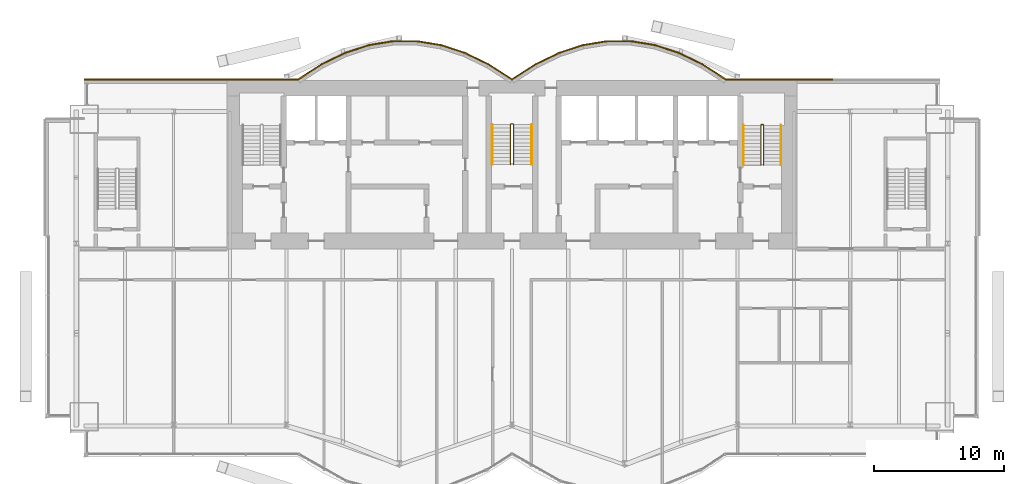
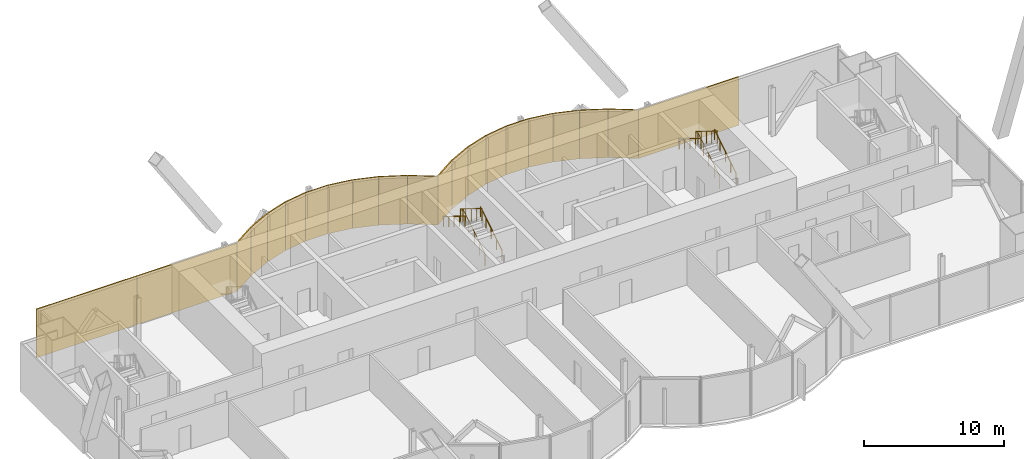
# One storey, part 22 of 23: 21 coverings, 6 railings.
"""IFC4 building model written with IfcOpenShell, lengths in metres."""

import ifcopenshell
import ifcopenshell.guid

model = None  # the IFC model being written
_history = None  # IfcOwnerHistory: only IFC2X3 demands one
_inside = {}  # id of a spatial element -> (the spatial element, [elements in it])
_under = {}  # id of a project, library or spatial element -> (it, [spatial elements below it])
_declared = {}  # id of a project -> (the project, [libraries it declares])
_typed = {}  # id of a type object -> (the type object, [elements of that type])
_made_of = {}  # id of a material, layer set ... -> (it, [elements and type objects made of it])


def new_model(schema):
    """Start an empty IFC model of exactly this schema.

    Asked for "IFC4X3", IfcOpenShell would pick the latest addendum, in which some entities
    have other attributes; the version numbers below select the first issue.
    IFC2X3 requires an IfcOwnerHistory on every rooted entity: one is made here for all.
    """
    global model, _history
    if schema == "IFC4X3":
        model = ifcopenshell.file(schema_version=(4, 3, 0, 0))
    else:
        model = ifcopenshell.file(schema=schema)
    _inside.clear()
    _under.clear()
    _declared.clear()
    _typed.clear()
    _made_of.clear()
    _history = None
    if model.schema == "IFC2X3":
        org = make("IfcOrganization", Name="unknown")
        user = make(
            "IfcPersonAndOrganization",
            ThePerson=make("IfcPerson", FamilyName="unknown"),
            TheOrganization=org,
        )
        app = make(
            "IfcApplication",
            ApplicationDeveloper=org,
            Version="unknown",
            ApplicationFullName="unknown",
            ApplicationIdentifier="unknown",
        )
        _history = make(
            "IfcOwnerHistory",
            OwningUser=user,
            OwningApplication=app,
            ChangeAction="ADDED",
            CreationDate=0,
        )
    return model


def make(cls, **values):
    """One entity of the class cls with the attributes given. An attribute that is None is left unset."""
    return model.create_entity(
        cls, **{name: value for name, value in values.items() if value is not None}
    )


def rooted(cls, **values):
    """An entity with a GlobalId (a new one), such as an element, a storey or a relation."""
    return make(cls, GlobalId=ifcopenshell.guid.new(), OwnerHistory=_history, **values)


def si_unit(unit_type, name, prefix=None):
    """IfcSIUnit, for example si_unit("LENGTHUNIT", "METRE", prefix="MILLI")."""
    return make("IfcSIUnit", UnitType=unit_type, Prefix=prefix, Name=name)


def assignment(units):
    """IfcUnitAssignment: the units of a project."""
    return None if units is None else make("IfcUnitAssignment", Units=units)


def point(xyz):
    """IfcCartesianPoint."""
    return None if xyz is None else make("IfcCartesianPoint", Coordinates=xyz)


def direction(xyz):
    """IfcDirection."""
    return None if xyz is None else make("IfcDirection", DirectionRatios=xyz)


def frame(location, z_axis=None, x_axis=None):
    """IfcAxis2Placement3D, a coordinate frame: its origin and axes. An axis left out is left unset."""
    return make(
        "IfcAxis2Placement3D",
        Location=point(location),
        Axis=direction(z_axis),
        RefDirection=direction(x_axis),
    )


def frame_2d(location, x_axis=None):
    """IfcAxis2Placement2D, a coordinate frame in the plane: its origin and x axis."""
    return make(
        "IfcAxis2Placement2D", Location=point(location), RefDirection=direction(x_axis)
    )


def origin():
    """The frame at (0, 0, 0) with its axes left unset."""
    return frame((0.0, 0.0, 0.0))


def origin_2d():
    """The frame at (0, 0) in the plane with its x axis left unset."""
    return frame_2d((0.0, 0.0))


def place(relative_to, where):
    """IfcLocalPlacement: puts the frame where relative to a parent placement (None: the world)."""
    return make(
        "IfcLocalPlacement", PlacementRelTo=relative_to, RelativePlacement=where
    )


def context(
    kind, dimensions, precision=None, world=None, true_north=None, identifier=None
):
    """IfcGeometricRepresentationContext, for example the 3D "Model" context."""
    return make(
        "IfcGeometricRepresentationContext",
        ContextIdentifier=identifier,
        ContextType=kind,
        CoordinateSpaceDimension=dimensions,
        Precision=precision,
        WorldCoordinateSystem=world,
        TrueNorth=true_north,
    )


def subcontext(parent, identifier, kind, view, scale=None):
    """IfcGeometricRepresentationSubContext, for example "Body" below "Model"."""
    return make(
        "IfcGeometricRepresentationSubContext",
        ContextIdentifier=identifier,
        ContextType=kind,
        ParentContext=parent,
        TargetScale=scale,
        TargetView=view,
    )


def project(units=None, contexts=None):
    """IfcProject with its units and contexts."""
    return rooted(
        "IfcProject",
        Name="project",
        RepresentationContexts=contexts,
        UnitsInContext=assignment(units),
    )


def spatial(cls, under=None, at=None, **own):
    """A site, building, storey or space (cls), placed at a placement, below another one or the project."""
    s = rooted(cls, ObjectPlacement=at, **own)
    if under is not None:
        _under.setdefault(under.id(), (under, []))[1].append(s)
    return s


def profile(cls, at=None, kind="AREA", **sizes):
    """A parametric profile (cls). Its sizes go by their IFC names, for example OverallWidth=200.0."""
    return make(cls, ProfileType=kind, Position=at, **sizes)


def rectangle(**sizes):
    """IfcRectangleProfileDef."""
    return profile("IfcRectangleProfileDef", **sizes)


def circle(**sizes):
    """IfcCircleProfileDef."""
    return profile("IfcCircleProfileDef", **sizes)


def extrude(swept, where, along, depth):
    """IfcExtrudedAreaSolid: the profile swept, set in the frame where, extruded along a direction by depth."""
    return make(
        "IfcExtrudedAreaSolid",
        SweptArea=swept,
        Position=where,
        ExtrudedDirection=direction(along),
        Depth=depth,
    )


def shape(context_of_items, identifier, shape_type, items):
    """IfcShapeRepresentation: the items that make up one representation, for example the "Body"."""
    return make(
        "IfcShapeRepresentation",
        ContextOfItems=context_of_items,
        RepresentationIdentifier=identifier,
        RepresentationType=shape_type,
        Items=items,
    )


def material(Name=None, Category=None):
    """IfcMaterial."""
    return make("IfcMaterial", Name=Name, Category=Category)


def layer(
    of_material, thickness, ventilated=None, Name=None, Category=None, Priority=None
):
    """IfcMaterialLayer: one layer of a wall or slab, of a material (None: an air gap)."""
    return make(
        "IfcMaterialLayer",
        Material=of_material,
        LayerThickness=thickness,
        IsVentilated=ventilated,
        Name=Name,
        Category=Category,
        Priority=Priority,
    )


def layer_set(layers, Name=None):
    """IfcMaterialLayerSet."""
    return make("IfcMaterialLayerSet", MaterialLayers=layers, LayerSetName=Name)


def made_of(thing, what):
    """Note that an element or type object is made of a material, layer set ...; save() writes the relation."""
    if what is not None:
        _made_of.setdefault(what.id(), (what, []))[1].append(thing)
    return thing


def type_object(cls, material=None, **own):
    """A type object (cls), such as IfcWallType, which elements share."""
    return made_of(rooted(cls, **own), material)


def element(
    cls,
    number,
    at=None,
    inside=None,
    cuts=None,
    type_object=None,
    material=None,
    context=None,
    identifier="Body",
    shape_type=None,
    held_by="IfcProductDefinitionShape",
    body=None,
    shapes=None,
    **own,
):
    """One element of the class cls, such as IfcWall. Its Tag is "e" and its number.

    at: its placement. inside: the storey or other place that contains it. cuts: it is an
    opening in that element (IfcRelVoidsElement). A single representation is given by context,
    identifier, shape_type and body (its items); several are given by shapes. held_by: the class
    of the entity that holds the representations. save() writes the other relations.
    """
    e = rooted(cls, Tag="e%d" % number, ObjectPlacement=at, **own)
    if body is not None:
        shapes = [shape(context, identifier, shape_type, body)]
    if shapes is not None:
        e.Representation = make(held_by, Representations=shapes)
    if inside is not None:
        _inside.setdefault(inside.id(), (inside, []))[1].append(e)
    if cuts is not None:
        rooted(
            "IfcRelVoidsElement", RelatingBuildingElement=cuts, RelatedOpeningElement=e
        )
    if type_object is not None:
        _typed.setdefault(type_object.id(), (type_object, []))[1].append(e)
    return made_of(e, material)


def aggregate(whole, parts):
    """IfcRelAggregates: a whole, such as a stair, and the parts it consists of."""
    return rooted("IfcRelAggregates", RelatingObject=whole, RelatedObjects=parts)


def save(model, path):
    """Write the relations noted so far, then the file.

    IfcRelAggregates (storeys below a building ...), IfcRelContainedInSpatialStructure (elements
    in a storey), IfcRelDefinesByType, IfcRelAssociatesMaterial and IfcRelDeclares: one each for
    every whole, place, type object, material and project.
    """
    for whole, parts in _under.values():
        aggregate(whole, parts)
    for where, things in _inside.values():
        rooted(
            "IfcRelContainedInSpatialStructure",
            RelatedElements=things,
            RelatingStructure=where,
        )
    for kind, things in _typed.values():
        rooted("IfcRelDefinesByType", RelatedObjects=things, RelatingType=kind)
    for what, things in _made_of.values():
        rooted("IfcRelAssociatesMaterial", RelatedObjects=things, RelatingMaterial=what)
    for by, libraries in _declared.values():
        rooted("IfcRelDeclares", RelatingContext=by, RelatedDefinitions=libraries)
    model.write(path)


model = new_model("IFC4")

# Units and contexts
model_context = context("Model", 3, precision=1e-05, world=origin(), true_north=direction((0.0, 1.0)))
body_context = subcontext(model_context, "Body", "Model", "MODEL_VIEW")
ifc_project = project(units=[si_unit("LENGTHUNIT", "METRE"), si_unit("AREAUNIT", "SQUARE_METRE"), si_unit("VOLUMEUNIT", "CUBIC_METRE"), si_unit("PLANEANGLEUNIT", "RADIAN"), si_unit("MASSUNIT", "GRAM", prefix="KILO")], contexts=[model_context])

# Site, building, storey
site_placement = place(None, origin())
site = spatial("IfcSite", under=ifc_project, at=site_placement, CompositionType="ELEMENT")
building_placement = place(site_placement, origin())
building = spatial("IfcBuilding", under=site, at=building_placement, Name="Bicima Exchange Tower", CompositionType="ELEMENT")
storey_placement = place(building_placement, frame((0.0, 0.0, 262.39990234375)))
storey = spatial("IfcBuildingStorey", under=building, at=storey_placement, Name="L59", CompositionType="ELEMENT", Elevation=262.39990234375)

# Coverings
ifc_material_1 = material(Name="Bronze metal cladding")
ifc_layer_1 = layer(ifc_material_1, 0.004)
ifc_material_2 = material(Name="Ventilated cavity")
ifc_layer_2 = layer(ifc_material_2, 0.06)
ifc_material_3 = material(Name="Galvanised steel rail and mineral wool", Category="steel")
ifc_layer_3 = layer(ifc_material_3, 0.036)
ifc_layer_set = layer_set([ifc_layer_1, ifc_layer_2, ifc_layer_3], Name="Ventilated cavity")
covering_type = type_object("IfcCoveringType", Name="Bronze metal cladding panel 100", PredefinedType="CLADDING", material=ifc_layer_set)
covering_1_placement = place(storey_placement, frame((20.625, 0.050048828125, -0.14990234375), z_axis=(0.0, 0.0, 1.0), x_axis=(-1.0, 0.0, 0.0)))
element("IfcCovering", 1, at=covering_1_placement, inside=storey, type_object=covering_type, Name="Bronze cladding L59 1.2", PredefinedType="CLADDING", context=body_context, shape_type="SweptSolid", body=[
    extrude(rectangle(XDim=8.25, YDim=0.10009765625, at=origin_2d()), origin(), (0.0, 0.0, 1.0), 4.199951171875),
])
covering_2_placement = place(storey_placement, frame((15.610595703125, 0.634521484375, -0.14990234375), z_axis=(0.0, 0.0, 1.0), x_axis=(-0.839790466384, 0.542910648791, 0.0)))
element("IfcCovering", 2, at=covering_2_placement, inside=storey, type_object=covering_type, Name="Bronze cladding L59 2.1", PredefinedType="CLADDING", context=body_context, shape_type="SweptSolid", body=[
    extrude(rectangle(XDim=2.18310546875, YDim=0.10009765625, at=origin_2d()), origin(), (0.0, 0.0, 1.0), 4.199951171875),
])
covering_3_placement = place(storey_placement, frame((13.771728515625, 1.674560546875, -0.14990234375), z_axis=(0.0, 0.0, 1.0), x_axis=(-0.899818346812, 0.436264762204, 0.0)))
element("IfcCovering", 3, at=covering_3_placement, inside=storey, type_object=covering_type, Name="Bronze cladding L59 3.1", PredefinedType="CLADDING", context=body_context, shape_type="SweptSolid", body=[
    extrude(rectangle(XDim=2.03759765625, YDim=0.10009765625, at=origin_2d()), origin(), (0.0, 0.0, 1.0), 4.199951171875),
])
covering_4_placement = place(storey_placement, frame((11.931884765625, 2.41796875, -0.14990234375), z_axis=(0.0, 0.0, 1.0), x_axis=(-0.951524642381, 0.307572519808, 0.0)))
element("IfcCovering", 4, at=covering_4_placement, inside=storey, type_object=covering_type, Name="Bronze cladding L59 4.1", PredefinedType="CLADDING", context=body_context, shape_type="SweptSolid", body=[
    extrude(rectangle(XDim=1.9267578125, YDim=0.10009765625, at=origin_2d()), origin(), (0.0, 0.0, 1.0), 4.199951171875),
])
covering_5_placement = place(storey_placement, frame((10.09130859375, 2.8642578125, -0.14990234375), z_axis=(0.0, 0.0, 1.0), x_axis=(-0.987189786347, 0.159550386184, 0.0)))
element("IfcCovering", 5, at=covering_5_placement, inside=storey, type_object=covering_type, Name="Bronze cladding L59 5.1", PredefinedType="CLADDING", context=body_context, shape_type="SweptSolid", body=[
    extrude(rectangle(XDim=1.857177734375, YDim=0.10009765625, at=origin_2d()), origin(), (0.0, 0.0, 1.0), 4.199951171875),
])
covering_6_placement = place(storey_placement, frame((8.25, 3.012939453125, -0.14990234375), z_axis=(0.0, 0.0, 1.0), x_axis=(-1.0, 0.0, 0.0)))
element("IfcCovering", 6, at=covering_6_placement, inside=storey, type_object=covering_type, Name="Bronze cladding L59 6.1", PredefinedType="CLADDING", context=body_context, shape_type="SweptSolid", body=[
    extrude(rectangle(XDim=1.83349609375, YDim=0.10009765625, at=origin_2d()), origin(), (0.0, 0.0, 1.0), 4.199951171875),
])
covering_7_placement = place(storey_placement, frame((6.40869140625, 2.8642578125, -0.14990234375), z_axis=(0.0, 0.0, 1.0), x_axis=(-0.987189786347, -0.159550386184, 0.0)))
element("IfcCovering", 7, at=covering_7_placement, inside=storey, type_object=covering_type, Name="Bronze cladding L59 7.1", PredefinedType="CLADDING", context=body_context, shape_type="SweptSolid", body=[
    extrude(rectangle(XDim=1.857177734375, YDim=0.10009765625, at=origin_2d()), origin(), (0.0, 0.0, 1.0), 4.199951171875),
])
covering_8_placement = place(storey_placement, frame((4.568115234375, 2.41796875, -0.14990234375), z_axis=(0.0, 0.0, 1.0), x_axis=(-0.951524642381, -0.307572519808, 0.0)))
element("IfcCovering", 8, at=covering_8_placement, inside=storey, type_object=covering_type, Name="Bronze cladding L59 8.1", PredefinedType="CLADDING", context=body_context, shape_type="SweptSolid", body=[
    extrude(rectangle(XDim=1.9267578125, YDim=0.10009765625, at=origin_2d()), origin(), (0.0, 0.0, 1.0), 4.199951171875),
])
covering_9_placement = place(storey_placement, frame((2.728271484375, 1.674560546875, -0.14990234375), z_axis=(0.0, 0.0, 1.0), x_axis=(-0.899818346812, -0.436264762204, 0.0)))
element("IfcCovering", 9, at=covering_9_placement, inside=storey, type_object=covering_type, Name="Bronze cladding L59 9.1", PredefinedType="CLADDING", context=body_context, shape_type="SweptSolid", body=[
    extrude(rectangle(XDim=2.03759765625, YDim=0.10009765625, at=origin_2d()), origin(), (0.0, 0.0, 1.0), 4.199951171875),
])
for number, where, z_axis, x_axis, name in (
    (10, (0.889404296875, 0.634521484375, -0.14990234375), (0.0, 0.0, 1.0), (-0.839790466384, -0.542910648791, 0.0), "Bronze cladding L59 10.1"),
    (11, (-0.889404296875, 0.634521484375, -0.14990234375), (0.0, 0.0, 1.0), (-0.839790466384, 0.542910648791, 0.0), "Bronze cladding L59 11.1"),
):
    element("IfcCovering", number, at=place(storey_placement, frame(where, z_axis=z_axis, x_axis=x_axis)), inside=storey, type_object=covering_type, Name=name, PredefinedType="CLADDING", context=body_context, shape_type="SweptSolid", body=[
        extrude(rectangle(XDim=2.18310546875, YDim=0.10009765625, at=origin_2d()), origin(), (0.0, 0.0, 1.0), 4.199951171875),
    ])
covering_10_placement = place(storey_placement, frame((-2.728271484375, 1.674560546875, -0.14990234375), z_axis=(0.0, 0.0, 1.0), x_axis=(-0.899818346812, 0.436264762204, 0.0)))
element("IfcCovering", 12, at=covering_10_placement, inside=storey, type_object=covering_type, Name="Bronze cladding L59 12.1", PredefinedType="CLADDING", context=body_context, shape_type="SweptSolid", body=[
    extrude(rectangle(XDim=2.03759765625, YDim=0.10009765625, at=origin_2d()), origin(), (0.0, 0.0, 1.0), 4.199951171875),
])
covering_11_placement = place(storey_placement, frame((-4.568115234375, 2.41796875, -0.14990234375), z_axis=(0.0, 0.0, 1.0), x_axis=(-0.951524642381, 0.307572519808, 0.0)))
element("IfcCovering", 13, at=covering_11_placement, inside=storey, type_object=covering_type, Name="Bronze cladding L59 13.1", PredefinedType="CLADDING", context=body_context, shape_type="SweptSolid", body=[
    extrude(rectangle(XDim=1.9267578125, YDim=0.10009765625, at=origin_2d()), origin(), (0.0, 0.0, 1.0), 4.199951171875),
])
covering_12_placement = place(storey_placement, frame((-6.40869140625, 2.8642578125, -0.14990234375), z_axis=(0.0, 0.0, 1.0), x_axis=(-0.987189786347, 0.159550386184, 0.0)))
element("IfcCovering", 14, at=covering_12_placement, inside=storey, type_object=covering_type, Name="Bronze cladding L59 14.1", PredefinedType="CLADDING", context=body_context, shape_type="SweptSolid", body=[
    extrude(rectangle(XDim=1.857177734375, YDim=0.10009765625, at=origin_2d()), origin(), (0.0, 0.0, 1.0), 4.199951171875),
])
covering_13_placement = place(storey_placement, frame((-8.25, 3.012939453125, -0.14990234375), z_axis=(0.0, 0.0, 1.0), x_axis=(-1.0, 0.0, 0.0)))
element("IfcCovering", 15, at=covering_13_placement, inside=storey, type_object=covering_type, Name="Bronze cladding L59 15.1", PredefinedType="CLADDING", context=body_context, shape_type="SweptSolid", body=[
    extrude(rectangle(XDim=1.83349609375, YDim=0.10009765625, at=origin_2d()), origin(), (0.0, 0.0, 1.0), 4.199951171875),
])
covering_14_placement = place(storey_placement, frame((-10.09130859375, 2.8642578125, -0.14990234375), z_axis=(0.0, 0.0, 1.0), x_axis=(-0.987189786347, -0.159550386184, 0.0)))
element("IfcCovering", 16, at=covering_14_placement, inside=storey, type_object=covering_type, Name="Bronze cladding L59 16.1", PredefinedType="CLADDING", context=body_context, shape_type="SweptSolid", body=[
    extrude(rectangle(XDim=1.857177734375, YDim=0.10009765625, at=origin_2d()), origin(), (0.0, 0.0, 1.0), 4.199951171875),
])
covering_15_placement = place(storey_placement, frame((-11.931884765625, 2.41796875, -0.14990234375), z_axis=(0.0, 0.0, 1.0), x_axis=(-0.951524642381, -0.307572519808, 0.0)))
element("IfcCovering", 17, at=covering_15_placement, inside=storey, type_object=covering_type, Name="Bronze cladding L59 17.1", PredefinedType="CLADDING", context=body_context, shape_type="SweptSolid", body=[
    extrude(rectangle(XDim=1.9267578125, YDim=0.10009765625, at=origin_2d()), origin(), (0.0, 0.0, 1.0), 4.199951171875),
])
covering_16_placement = place(storey_placement, frame((-13.771728515625, 1.674560546875, -0.14990234375), z_axis=(0.0, 0.0, 1.0), x_axis=(-0.899818346812, -0.436264762204, 0.0)))
element("IfcCovering", 18, at=covering_16_placement, inside=storey, type_object=covering_type, Name="Bronze cladding L59 18.1", PredefinedType="CLADDING", context=body_context, shape_type="SweptSolid", body=[
    extrude(rectangle(XDim=2.03759765625, YDim=0.10009765625, at=origin_2d()), origin(), (0.0, 0.0, 1.0), 4.199951171875),
])
covering_17_placement = place(storey_placement, frame((-15.610595703125, 0.634521484375, -0.14990234375), z_axis=(0.0, 0.0, 1.0), x_axis=(-0.839790466384, -0.542910648791, 0.0)))
element("IfcCovering", 19, at=covering_17_placement, inside=storey, type_object=covering_type, Name="Bronze cladding L59 19.1", PredefinedType="CLADDING", context=body_context, shape_type="SweptSolid", body=[
    extrude(rectangle(XDim=2.18310546875, YDim=0.10009765625, at=origin_2d()), origin(), (0.0, 0.0, 1.0), 4.199951171875),
])
for number, where, z_axis, x_axis, name in (
    (20, (-20.625, 0.050048828125, -0.14990234375), (0.0, 0.0, 1.0), (-1.0, 0.0, 0.0), "Bronze cladding L59 20.1"),
    (21, (-28.875, 0.050048828125, -0.14990234375), (0.0, 0.0, 1.0), (-1.0, 0.0, 0.0), "Bronze cladding L59 20.2"),
):
    element("IfcCovering", number, at=place(storey_placement, frame(where, z_axis=z_axis, x_axis=x_axis)), inside=storey, type_object=covering_type, Name=name, PredefinedType="CLADDING", context=body_context, shape_type="SweptSolid", body=[
        extrude(rectangle(XDim=8.25, YDim=0.10009765625, at=origin_2d()), origin(), (0.0, 0.0, 1.0), 4.199951171875),
    ])

# Railings
ifc_material_4 = material(Name="Stainless steel", Category="steel")
railing_type_1 = type_object("IfcRailingType", Name="Stair guard 1100", PredefinedType="GUARDRAIL", material=ifc_material_4)
railing_1_placement = place(storey_placement, frame((0.125, -6.5, 0.175048828125)))
element("IfcRailing", 22, at=railing_1_placement, inside=storey, type_object=railing_type_1, Name="L59 ST-C stair guard 1", PredefinedType="GUARDRAIL", context=body_context, shape_type="SweptSolid", body=[
    extrude(circle(Radius=0.02392578125, at=origin_2d()), frame((0.0, 0.0, 1.076171875), z_axis=(0.0, 0.847998304005, 0.529998940003), x_axis=(-1.0, 0.0, 0.0)), (0.0, 0.0, 1.0), 3.632080078125),
    extrude(circle(Radius=0.02392578125, at=origin_2d()), frame((0.0, 3.080078125, 3.0009765625), z_axis=(-0.708833529934, 0.705375805398, 0.0), x_axis=(-0.705375805398, -0.708833529934, 0.0)), (0.0, 0.0, 1.0), 0.070556640625),
    extrude(circle(Radius=0.02392578125, at=origin_2d()), frame((-0.050048828125, 3.1298828125, 3.0009765625), z_axis=(-1.0, 0.0, 0.0), x_axis=(0.0, -1.0, 0.0)), (0.0, 0.0, 1.0), 0.14990234375),
    extrude(circle(Radius=0.02392578125, at=origin_2d()), frame((-0.199951171875, 3.1298828125, 3.0009765625), z_axis=(-0.265155923931, -0.263862480399, 0.927399011991), x_axis=(0.705375805398, -0.708833529934, 0.0)), (0.0, 0.0, 1.0), 0.188720703125),
    extrude(circle(Radius=0.02392578125, at=origin_2d()), frame((-0.25, 3.080078125, 3.17626953125), z_axis=(0.0, -0.847998304005, 0.529998940003), x_axis=(1.0, 0.0, 0.0)), (0.0, 0.0, 1.0), 3.632080078125),
    extrude(circle(Radius=0.02099609375, at=origin_2d()), origin(), (0.0, 0.0, 1.0), 1.052001953125),
    extrude(circle(Radius=0.02099609375, at=origin_2d()), frame((0.0, 0.77001953125, 0.481201171875)), (0.0, 0.0, 1.0), 1.052001953125),
    extrude(circle(Radius=0.02099609375, at=origin_2d()), frame((0.0, 1.5400390625, 0.96240234375)), (0.0, 0.0, 1.0), 1.052001953125),
    extrude(circle(Radius=0.02099609375, at=origin_2d()), frame((0.0, 2.31005859375, 1.44384765625)), (0.0, 0.0, 1.0), 1.052001953125),
    extrude(circle(Radius=0.02099609375, at=origin_2d()), frame((0.0, 3.080078125, 1.925048828125)), (0.0, 0.0, 1.0), 1.052001953125),
    extrude(circle(Radius=0.02099609375, at=origin_2d()), frame((-0.050048828125, 3.1298828125, 1.925048828125)), (0.0, 0.0, 1.0), 1.052001953125),
    extrude(circle(Radius=0.02099609375, at=origin_2d()), frame((-0.199951171875, 3.1298828125, 1.925048828125)), (0.0, 0.0, 1.0), 1.052001953125),
    extrude(circle(Radius=0.02099609375, at=origin_2d()), frame((-0.25, 3.080078125, 2.10009765625)), (0.0, 0.0, 1.0), 1.052001953125),
    extrude(circle(Radius=0.02099609375, at=origin_2d()), frame((-0.25, 2.31005859375, 2.581298828125)), (0.0, 0.0, 1.0), 1.052001953125),
    extrude(circle(Radius=0.02099609375, at=origin_2d()), frame((-0.25, 1.5400390625, 3.0625)), (0.0, 0.0, 1.0), 1.052001953125),
    extrude(circle(Radius=0.02099609375, at=origin_2d()), frame((-0.25, 0.77001953125, 3.5439453125)), (0.0, 0.0, 1.0), 1.052001953125),
    extrude(circle(Radius=0.02099609375, at=origin_2d()), frame((-0.25, 0.0, 4.025146484375)), (0.0, 0.0, 1.0), 1.052001953125),
])
railing_2_placement = place(storey_placement, frame((19.39990234375, -6.550048828125, 0.175048828125)))
element("IfcRailing", 23, at=railing_2_placement, inside=storey, type_object=railing_type_1, Name="L59 ST-E stair guard 1", PredefinedType="GUARDRAIL", context=body_context, shape_type="SweptSolid", body=[
    extrude(circle(Radius=0.02392578125, at=origin_2d()), frame((0.0, 0.0, 1.076171875), z_axis=(0.0, 0.847998304005, 0.529998940003), x_axis=(-1.0, 0.0, 0.0)), (0.0, 0.0, 1.0), 3.632080078125),
    extrude(circle(Radius=0.02392578125, at=origin_2d()), frame((0.0, 3.080078125, 3.0009765625), z_axis=(-0.705375805398, 0.708833529934, 0.0), x_axis=(-0.708833529934, -0.705375805398, 0.0)), (0.0, 0.0, 1.0), 0.070556640625),
    extrude(circle(Radius=0.02392578125, at=origin_2d()), frame((-0.0498046875, 3.130126953125, 3.0009765625), z_axis=(-1.0, 0.0, 0.0), x_axis=(0.0, -1.0, 0.0)), (0.0, 0.0, 1.0), 0.10009765625),
    extrude(circle(Radius=0.02392578125, at=origin_2d()), frame((-0.14990234375, 3.130126953125, 3.0009765625), z_axis=(-0.265065253269, -0.265065253269, 0.927081885822), x_axis=(0.707106781187, -0.707106781187, 0.0)), (0.0, 0.0, 1.0), 0.188720703125),
    extrude(circle(Radius=0.02392578125, at=origin_2d()), frame((-0.199951171875, 3.080078125, 3.17626953125), z_axis=(0.0, -0.847998304005, 0.529998940003), x_axis=(1.0, 0.0, 0.0)), (0.0, 0.0, 1.0), 3.632080078125),
    extrude(circle(Radius=0.02099609375, at=origin_2d()), origin(), (0.0, 0.0, 1.0), 1.052001953125),
    extrude(circle(Radius=0.02099609375, at=origin_2d()), frame((0.0, 0.77001953125, 0.481201171875)), (0.0, 0.0, 1.0), 1.052001953125),
    extrude(circle(Radius=0.02099609375, at=origin_2d()), frame((0.0, 1.5400390625, 0.96240234375)), (0.0, 0.0, 1.0), 1.052001953125),
    extrude(circle(Radius=0.02099609375, at=origin_2d()), frame((0.0, 2.31005859375, 1.44384765625)), (0.0, 0.0, 1.0), 1.052001953125),
    extrude(circle(Radius=0.02099609375, at=origin_2d()), frame((0.0, 3.080078125, 1.925048828125)), (0.0, 0.0, 1.0), 1.052001953125),
    extrude(circle(Radius=0.02099609375, at=origin_2d()), frame((-0.0498046875, 3.130126953125, 1.925048828125)), (0.0, 0.0, 1.0), 1.052001953125),
    extrude(circle(Radius=0.02099609375, at=origin_2d()), frame((-0.14990234375, 3.130126953125, 1.925048828125)), (0.0, 0.0, 1.0), 1.052001953125),
    extrude(circle(Radius=0.02099609375, at=origin_2d()), frame((-0.199951171875, 3.080078125, 2.10009765625)), (0.0, 0.0, 1.0), 1.052001953125),
    extrude(circle(Radius=0.02099609375, at=origin_2d()), frame((-0.199951171875, 2.31005859375, 2.581298828125)), (0.0, 0.0, 1.0), 1.052001953125),
    extrude(circle(Radius=0.02099609375, at=origin_2d()), frame((-0.199951171875, 1.5400390625, 3.0625)), (0.0, 0.0, 1.0), 1.052001953125),
    extrude(circle(Radius=0.02099609375, at=origin_2d()), frame((-0.199951171875, 0.77001953125, 3.5439453125)), (0.0, 0.0, 1.0), 1.052001953125),
    extrude(circle(Radius=0.02099609375, at=origin_2d()), frame((-0.199951171875, 0.0, 4.025146484375)), (0.0, 0.0, 1.0), 1.052001953125),
])
railing_type_2 = type_object("IfcRailingType", Name="Stair handrail 900", PredefinedType="HANDRAIL", material=ifc_material_4)
railing_3_placement = place(storey_placement, frame((1.52490234375, -6.5, 0.175048828125)))
element("IfcRailing", 24, at=railing_3_placement, inside=storey, type_object=railing_type_2, Name="L59 ST-C stair handrail 1", PredefinedType="HANDRAIL", context=body_context, shape_type="SweptSolid", body=[
    extrude(circle(Radius=0.02392578125, at=origin_2d()), frame((0.0, 0.0, 0.8759765625), z_axis=(0.0, 0.847998304005, 0.529998940003), x_axis=(-1.0, 0.0, 0.0)), (0.0, 0.0, 1.0), 3.632080078125),
    extrude(circle(Radius=0.02099609375, at=origin_2d()), origin(), (0.0, 0.0, 1.0), 0.851806640625),
    extrude(circle(Radius=0.02099609375, at=origin_2d()), frame((0.0, 0.77001953125, 0.481201171875)), (0.0, 0.0, 1.0), 0.851806640625),
    extrude(circle(Radius=0.02099609375, at=origin_2d()), frame((0.0, 1.5400390625, 0.96240234375)), (0.0, 0.0, 1.0), 0.851806640625),
    extrude(circle(Radius=0.02099609375, at=origin_2d()), frame((0.0, 2.31005859375, 1.44384765625)), (0.0, 0.0, 1.0), 0.851806640625),
    extrude(circle(Radius=0.02099609375, at=origin_2d()), frame((0.0, 3.080078125, 1.925048828125)), (0.0, 0.0, 1.0), 0.851806640625),
])
railing_4_placement = place(storey_placement, frame((-1.52490234375, -3.419921875, 2.30419921875)))
element("IfcRailing", 25, at=railing_4_placement, inside=storey, type_object=railing_type_2, Name="L59 ST-C stair handrail 2", PredefinedType="HANDRAIL", context=body_context, shape_type="SweptSolid", body=[
    extrude(circle(Radius=0.02392578125, at=origin_2d()), frame((0.0, 0.0, 0.8759765625), z_axis=(0.0, -0.848028513186, 0.529950602248), x_axis=(1.0, 0.0, 0.0)), (0.0, 0.0, 1.0), 3.632080078125),
    extrude(circle(Radius=0.02099609375, at=origin_2d()), origin(), (0.0, 0.0, 1.0), 0.851806640625),
    extrude(circle(Radius=0.02099609375, at=origin_2d()), frame((0.0, -0.77001953125, 0.481201171875)), (0.0, 0.0, 1.0), 0.851806640625),
    extrude(circle(Radius=0.02099609375, at=origin_2d()), frame((0.0, -1.5400390625, 0.96240234375)), (0.0, 0.0, 1.0), 0.851806640625),
    extrude(circle(Radius=0.02099609375, at=origin_2d()), frame((0.0, -2.31005859375, 1.443603515625)), (0.0, 0.0, 1.0), 0.851806640625),
    extrude(circle(Radius=0.02099609375, at=origin_2d()), frame((0.0, -3.080078125, 1.9248046875)), (0.0, 0.0, 1.0), 0.851806640625),
])
railing_5_placement = place(storey_placement, frame((20.75, -6.550048828125, 0.175048828125)))
element("IfcRailing", 26, at=railing_5_placement, inside=storey, type_object=railing_type_2, Name="L59 ST-E stair handrail 1", PredefinedType="HANDRAIL", context=body_context, shape_type="SweptSolid", body=[
    extrude(circle(Radius=0.02392578125, at=origin_2d()), frame((0.0, 0.0, 0.8759765625), z_axis=(0.0, 0.847998304005, 0.529998940003), x_axis=(-1.0, 0.0, 0.0)), (0.0, 0.0, 1.0), 3.632080078125),
    extrude(circle(Radius=0.02099609375, at=origin_2d()), origin(), (0.0, 0.0, 1.0), 0.851806640625),
    extrude(circle(Radius=0.02099609375, at=origin_2d()), frame((0.0, 0.77001953125, 0.481201171875)), (0.0, 0.0, 1.0), 0.851806640625),
    extrude(circle(Radius=0.02099609375, at=origin_2d()), frame((0.0, 1.5400390625, 0.96240234375)), (0.0, 0.0, 1.0), 0.851806640625),
    extrude(circle(Radius=0.02099609375, at=origin_2d()), frame((0.0, 2.31005859375, 1.44384765625)), (0.0, 0.0, 1.0), 0.851806640625),
    extrude(circle(Radius=0.02099609375, at=origin_2d()), frame((0.0, 3.080078125, 1.925048828125)), (0.0, 0.0, 1.0), 0.851806640625),
])
railing_6_placement = place(storey_placement, frame((17.85009765625, -3.469970703125, 2.30419921875)))
element("IfcRailing", 27, at=railing_6_placement, inside=storey, type_object=railing_type_2, Name="L59 ST-E stair handrail 2", PredefinedType="HANDRAIL", context=body_context, shape_type="SweptSolid", body=[
    extrude(circle(Radius=0.02392578125, at=origin_2d()), frame((0.0, 0.0, 0.8759765625), z_axis=(0.0, -0.848028513186, 0.529950602248), x_axis=(1.0, 0.0, 0.0)), (0.0, 0.0, 1.0), 3.632080078125),
    extrude(circle(Radius=0.02099609375, at=origin_2d()), origin(), (0.0, 0.0, 1.0), 0.851806640625),
    extrude(circle(Radius=0.02099609375, at=origin_2d()), frame((0.0, -0.77001953125, 0.481201171875)), (0.0, 0.0, 1.0), 0.851806640625),
    extrude(circle(Radius=0.02099609375, at=origin_2d()), frame((0.0, -1.5400390625, 0.96240234375)), (0.0, 0.0, 1.0), 0.851806640625),
    extrude(circle(Radius=0.02099609375, at=origin_2d()), frame((0.0, -2.31005859375, 1.443603515625)), (0.0, 0.0, 1.0), 0.851806640625),
    extrude(circle(Radius=0.02099609375, at=origin_2d()), frame((0.0, -3.080078125, 1.9248046875)), (0.0, 0.0, 1.0), 0.851806640625),
])

save(model, "model.ifc")
